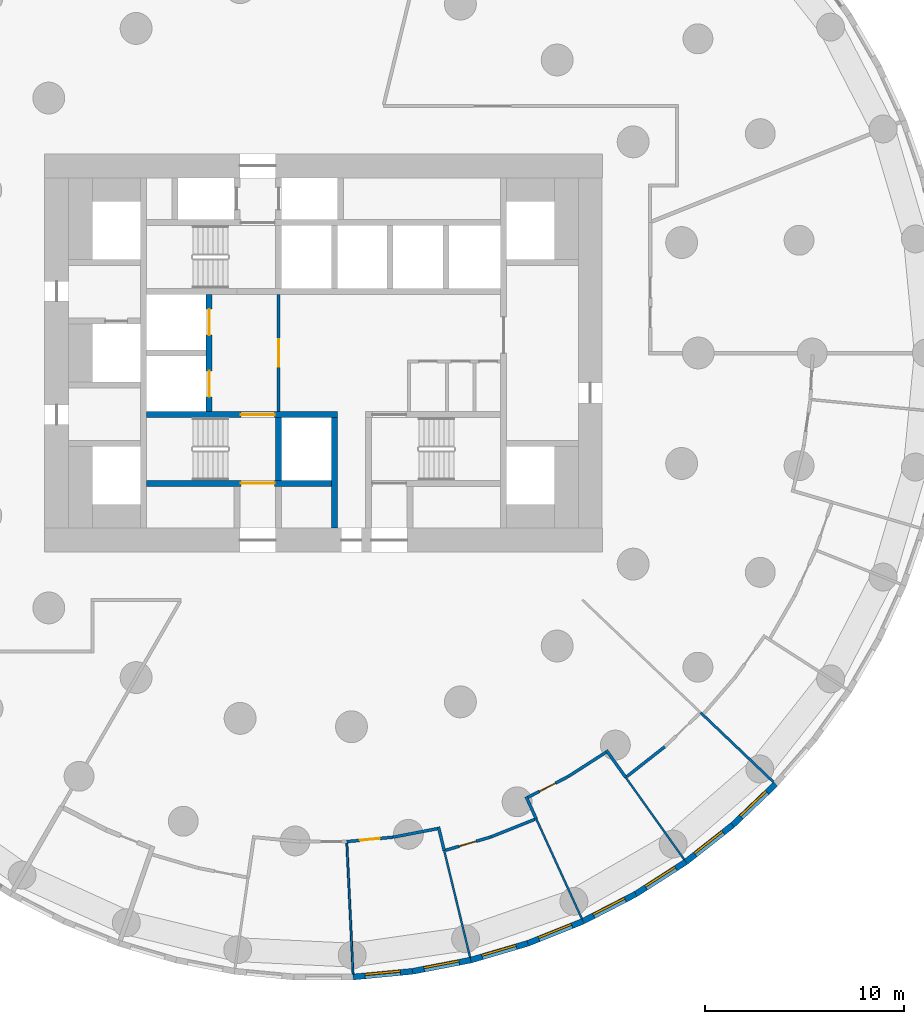
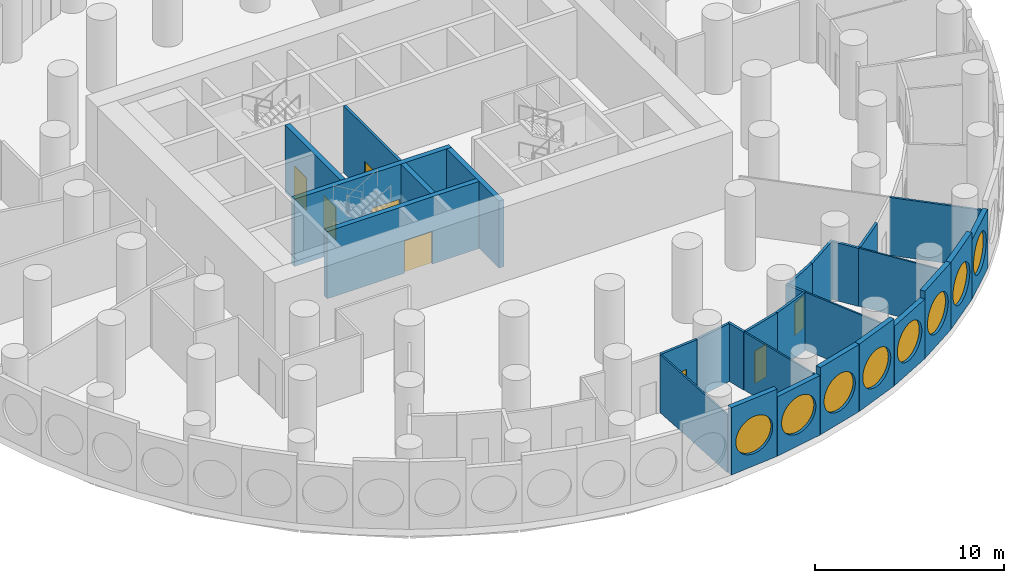
# One storey, part 4 of 11: 29 walls, 8 doors, 8 windows, 16 openings.
"""IFC4 building model written with IfcOpenShell, lengths in metres."""

from ifc_helpers import new_model, si_unit, direction, frame, frame_2d, origin, origin_2d, place, context, subcontext, project, spatial, rectangle, circle, extrude, material, layer, layer_set, type_object, element, fill, save


model = new_model("IFC4")

# Units and contexts
model_context = context("Model", 3, precision=1e-05, world=origin(), true_north=direction((0.0, 1.0)))
body_context = subcontext(model_context, "Body", "Model", "MODEL_VIEW")
ifc_project = project(units=[si_unit("LENGTHUNIT", "METRE"), si_unit("AREAUNIT", "SQUARE_METRE"), si_unit("VOLUMEUNIT", "CUBIC_METRE"), si_unit("PLANEANGLEUNIT", "RADIAN"), si_unit("MASSUNIT", "GRAM", prefix="KILO")], contexts=[model_context])

# Site, building, storey
site_placement = place(None, origin())
site = spatial("IfcSite", under=ifc_project, at=site_placement, CompositionType="ELEMENT")
building_placement = place(site_placement, origin())
building = spatial("IfcBuilding", under=site, at=building_placement, Name="Tracery Tower", CompositionType="ELEMENT")
storey_placement = place(building_placement, frame((0.0, 0.0, 23.39990234375)))
storey = spatial("IfcBuildingStorey", under=building, at=storey_placement, Name="L04", CompositionType="ELEMENT", Elevation=23.39990234375)

# Wall, opening, door
ifc_material_1 = material(Name="Plasterboard on steel studs", Category="steel")
ifc_layer_1 = layer(ifc_material_1, 0.14990234375)
ifc_layer_set_1 = layer_set([ifc_layer_1], Name="Core lobby partition 150")
wall_type_1 = type_object("IfcWallType", Name="Core lobby partition 150", PredefinedType="SOLIDWALL", material=ifc_layer_set_1)
wall_1_placement = place(storey_placement, frame((-2.25, -2.949951171875, 0.0), z_axis=(0.0, 0.0, 1.0), x_axis=(0.0, 1.0, 0.0)))
wall_1 = element("IfcWall", 1, at=wall_1_placement, inside=storey, type_object=wall_type_1, Name="L04 FF lobby E", PredefinedType="SOLIDWALL", context=body_context, shape_type="SweptSolid", body=[
    extrude(rectangle(XDim=5.89990234375, YDim=0.14990234375, at=frame_2d((2.949951171875, 0.0))), origin(), (0.0, 0.0, 1.0), 4.35009765625),
])
opening_1_placement = place(wall_1_placement, frame((2.25, 0.0, 0.0)))
opening_1 = element("IfcOpeningElement", 2, at=opening_1_placement, cuts=wall_1, Name="Opening KD8", PredefinedType="OPENING", context=body_context, shape_type="SweptSolid", body=[
    extrude(rectangle(XDim=1.39990234375, YDim=2.10009765625, at=frame_2d((0.699951171875, 1.050048828125))), frame((0.0, 0.074951171875, 0.0), z_axis=(0.0, -1.0, 0.0), x_axis=(1.0, 0.0, 0.0)), (0.0, 0.0, 1.0), 0.14990234375),
])
ifc_material_2 = material(Name="Steel fire door", Category="steel")
door_type_1 = type_object("IfcDoorType", Name="Core lobby door 1400 double", OperationType="NOTDEFINED", PredefinedType="DOOR", material=ifc_material_2)
door_1_placement = place(opening_1_placement, origin())
door_1 = element("IfcDoor", 3, at=door_1_placement, inside=storey, type_object=door_type_1, Name="Fire-fighting lobby door", OperationType="DOUBLE_DOOR_SINGLE_SWING", OverallHeight=2.10009765625, OverallWidth=1.39990234375, PredefinedType="DOOR", context=body_context, shape_type="SweptSolid", body=[
    extrude(rectangle(XDim=1.39990234375, YDim=2.10009765625, at=frame_2d((0.699951171875, 1.050048828125))), frame((0.0, 0.02490234375, 0.0), z_axis=(0.0, -1.0, 0.0), x_axis=(1.0, 0.0, 0.0)), (0.0, 0.0, 1.0), 0.050048828125),
])
fill(opening_1, door_1)

ifc_material_3 = material(Name="Plasterboard on steel studs", Category="steel")
ifc_layer_2 = layer(ifc_material_3, 0.14990234375)
ifc_layer_set_2 = layer_set([ifc_layer_2], Name="Corridor partition 150")
wall_type_2 = type_object("IfcWallType", Name="Corridor partition 150", PredefinedType="PARTITIONING", material=ifc_layer_set_2)
wall_2_placement = place(storey_placement, frame((3.49609375, -24.316650390625, 0.0), z_axis=(0.0, 0.0, 1.0), x_axis=(-0.995473855736, -0.095035796131, 0.0)))
wall_2 = element("IfcWall", 4, at=wall_2_placement, inside=storey, type_object=wall_type_2, Name="Corridor partition 150", PredefinedType="PARTITIONING", context=body_context, shape_type="SweptSolid", body=[
    extrude(rectangle(XDim=2.337646484375, YDim=0.14990234375, at=frame_2d((1.1689453125, 0.0))), origin(), (0.0, 0.0, 1.0), 3.75),
])
opening_2_placement = place(wall_2_placement, frame((0.6689453125, 0.0, 0.0)))
opening_2 = element("IfcOpeningElement", 5, at=opening_2_placement, cuts=wall_2, Name="Opening SB-L04-18", PredefinedType="OPENING", context=body_context, shape_type="SweptSolid", body=[
    extrude(rectangle(XDim=1.0, YDim=2.10009765625, at=frame_2d((0.5, 1.050048828125))), frame((0.0, 0.074951171875, 0.0), z_axis=(0.0, -1.0, 0.0), x_axis=(1.0, 0.0, 0.0)), (0.0, 0.0, 1.0), 0.14990234375),
])
ifc_material_4 = material(Name="Timber door leaf", Category="wood")
door_type_2 = type_object("IfcDoorType", Name="Public room door 1000", OperationType="NOTDEFINED", PredefinedType="DOOR", material=ifc_material_4)
door_2_placement = place(opening_2_placement, origin())
door_2 = element("IfcDoor", 6, at=door_2_placement, inside=storey, type_object=door_type_2, Name="Public room door 1000", OperationType="SINGLE_SWING_RIGHT", OverallHeight=2.10009765625, OverallWidth=1.0, PredefinedType="DOOR", context=body_context, shape_type="SweptSolid", body=[
    extrude(rectangle(XDim=1.0, YDim=2.10009765625, at=frame_2d((0.5, 1.050048828125))), frame((0.0, 0.02490234375, 0.0), z_axis=(0.0, -1.0, 0.0), x_axis=(1.0, 0.0, 0.0)), (0.0, 0.0, 1.0), 0.050048828125),
])
fill(opening_2, door_2)

# Walls
wall_3_placement = place(storey_placement, frame((3.49609375, -24.316650390625, 0.0), z_axis=(0.0, 0.0, 1.0), x_axis=(0.981934043808, 0.18922350174, 0.0)))
element("IfcWall", 7, at=wall_3_placement, inside=storey, type_object=wall_type_2, Name="Corridor partition 150", PredefinedType="PARTITIONING", context=body_context, shape_type="SweptSolid", body=[
    extrude(rectangle(XDim=2.262939453125, YDim=0.14990234375, at=frame_2d((1.13134765625, 0.0))), origin(), (0.0, 0.0, 1.0), 3.75),
])
wall_4_placement = place(storey_placement, frame((6.063232421875, -24.9931640625, 0.0), z_axis=(0.0, 0.0, 1.0), x_axis=(-0.235691182892, 0.97182800243, 0.0)))
element("IfcWall", 8, at=wall_4_placement, inside=storey, type_object=wall_type_2, Name="Corridor partition 150", PredefinedType="PARTITIONING", context=body_context, shape_type="SweptSolid", body=[
    extrude(rectangle(XDim=1.2265625, YDim=0.14990234375, at=frame_2d((0.61328125, 0.0))), origin(), (0.0, 0.0, 1.0), 3.75),
])

# Wall, opening, door
wall_5_placement = place(storey_placement, frame((8.41162109375, -24.3037109375, 0.0), z_axis=(0.0, 0.0, 1.0), x_axis=(-0.959514485928, -0.281659282281, 0.0)))
wall_5 = element("IfcWall", 9, at=wall_5_placement, inside=storey, type_object=wall_type_2, Name="Corridor partition 150", PredefinedType="PARTITIONING", context=body_context, shape_type="SweptSolid", body=[
    extrude(rectangle(XDim=2.372314453125, YDim=0.14990234375, at=frame_2d((1.18603515625, 0.0))), origin(), (0.0, 0.0, 1.0), 3.75),
])
opening_3_placement = place(wall_5_placement, frame((0.773681640625, 0.0, 0.0)))
opening_3 = element("IfcOpeningElement", 10, at=opening_3_placement, cuts=wall_5, Name="Opening SB-L04-19", PredefinedType="OPENING", context=body_context, shape_type="SweptSolid", body=[
    extrude(rectangle(XDim=0.89990234375, YDim=2.10009765625, at=frame_2d((0.449951171875, 1.050048828125))), frame((0.0, 0.074951171875, 0.0), z_axis=(0.0, -1.0, 0.0), x_axis=(1.0, 0.0, 0.0)), (0.0, 0.0, 1.0), 0.14990234375),
])
ifc_material_5 = material(Name="Timber door leaf", Category="wood")
door_type_3 = type_object("IfcDoorType", Name="Room door 900", OperationType="NOTDEFINED", PredefinedType="DOOR", material=ifc_material_5)
door_3_placement = place(opening_3_placement, origin())
door_3 = element("IfcDoor", 11, at=door_3_placement, inside=storey, type_object=door_type_3, Name="Room door 900", OperationType="SINGLE_SWING_RIGHT", OverallHeight=2.10009765625, OverallWidth=0.89990234375, PredefinedType="DOOR", context=body_context, shape_type="SweptSolid", body=[
    extrude(rectangle(XDim=0.89990234375, YDim=2.10009765625, at=frame_2d((0.449951171875, 1.050048828125))), frame((0.0, 0.02490234375, 0.0), z_axis=(0.0, -1.0, 0.0), x_axis=(1.0, 0.0, 0.0)), (0.0, 0.0, 1.0), 0.050048828125),
])
fill(opening_3, door_3)

# Wall
wall_6_placement = place(storey_placement, frame((8.41162109375, -24.3037109375, 0.0), z_axis=(0.0, 0.0, 1.0), x_axis=(0.928348885918, 0.371710029479, 0.0)))
element("IfcWall", 12, at=wall_6_placement, inside=storey, type_object=wall_type_2, Name="Corridor partition 150", PredefinedType="PARTITIONING", context=body_context, shape_type="SweptSolid", body=[
    extrude(rectangle(XDim=2.372314453125, YDim=0.14990234375, at=frame_2d((1.18603515625, 0.0))), origin(), (0.0, 0.0, 1.0), 3.75),
])

# Wall, opening, door
wall_7_placement = place(storey_placement, frame((12.283447265625, -21.275390625, 0.0), z_axis=(0.0, 0.0, 1.0), x_axis=(-0.888834753306, -0.458227870514, 0.0)))
wall_7 = element("IfcWall", 13, at=wall_7_placement, inside=storey, type_object=wall_type_2, Name="Corridor partition 150", PredefinedType="PARTITIONING", context=body_context, shape_type="SweptSolid", body=[
    extrude(rectangle(XDim=2.2626953125, YDim=0.14990234375, at=frame_2d((1.13134765625, 0.0))), origin(), (0.0, 0.0, 1.0), 3.75),
])
opening_4_placement = place(wall_7_placement, frame((0.718994140625, 0.0, 0.0)))
opening_4 = element("IfcOpeningElement", 14, at=opening_4_placement, cuts=wall_7, Name="Opening SB-L04-20", PredefinedType="OPENING", context=body_context, shape_type="SweptSolid", body=[
    extrude(rectangle(XDim=0.89990234375, YDim=2.10009765625, at=frame_2d((0.449951171875, 1.050048828125))), frame((0.0, 0.074951171875, 0.0), z_axis=(0.0, -1.0, 0.0), x_axis=(1.0, 0.0, 0.0)), (0.0, 0.0, 1.0), 0.14990234375),
])
door_4_placement = place(opening_4_placement, origin())
door_4 = element("IfcDoor", 15, at=door_4_placement, inside=storey, type_object=door_type_3, Name="Room door 900", OperationType="SINGLE_SWING_RIGHT", OverallHeight=2.10009765625, OverallWidth=0.89990234375, PredefinedType="DOOR", context=body_context, shape_type="SweptSolid", body=[
    extrude(rectangle(XDim=0.89990234375, YDim=2.10009765625, at=frame_2d((0.449951171875, 1.050048828125))), frame((0.0, 0.02490234375, 0.0), z_axis=(0.0, -1.0, 0.0), x_axis=(1.0, 0.0, 0.0)), (0.0, 0.0, 1.0), 0.050048828125),
])
fill(opening_4, door_4)

# Walls
wall_8_placement = place(storey_placement, frame((10.68359375, -23.393798828125, 0.0), z_axis=(0.0, 0.0, 1.0), x_axis=(-0.415392653696, 0.909642206175, 0.0)))
element("IfcWall", 16, at=wall_8_placement, inside=storey, type_object=wall_type_2, Name="Corridor partition 150", PredefinedType="PARTITIONING", context=body_context, shape_type="SweptSolid", body=[
    extrude(rectangle(XDim=1.22607421875, YDim=0.14990234375, at=frame_2d((0.613037109375, 0.0))), origin(), (0.0, 0.0, 1.0), 3.75),
])
wall_9_placement = place(storey_placement, frame((12.283447265625, -21.275390625, 0.0), z_axis=(0.0, 0.0, 1.0), x_axis=(0.841245074687, 0.540653978358, 0.0)))
element("IfcWall", 17, at=wall_9_placement, inside=storey, type_object=wall_type_2, Name="Corridor partition 150", PredefinedType="PARTITIONING", context=body_context, shape_type="SweptSolid", body=[
    extrude(rectangle(XDim=2.2626953125, YDim=0.14990234375, at=frame_2d((1.13134765625, 0.0))), origin(), (0.0, 0.0, 1.0), 3.75),
])
wall_10_placement = place(storey_placement, frame((15.17919921875, -21.31640625, 0.0), z_axis=(0.0, 0.0, 1.0), x_axis=(-0.580039379053, 0.814588435191, 0.0)))
element("IfcWall", 18, at=wall_10_placement, inside=storey, type_object=wall_type_2, Name="Corridor partition 150", PredefinedType="PARTITIONING", context=body_context, shape_type="SweptSolid", body=[
    extrude(rectangle(XDim=1.6767578125, YDim=0.14990234375, at=frame_2d((0.83837890625, 0.0))), origin(), (0.0, 0.0, 1.0), 3.75),
])
wall_11_placement = place(storey_placement, frame((15.23828125, -21.27001953125, 0.0), z_axis=(0.0, 0.0, 1.0), x_axis=(0.786009575481, 0.618214321456, 0.0)))
element("IfcWall", 19, at=wall_11_placement, inside=storey, type_object=wall_type_2, Name="Corridor partition 150", PredefinedType="PARTITIONING", context=body_context, shape_type="SweptSolid", body=[
    extrude(rectangle(XDim=2.415283203125, YDim=0.14990234375, at=frame_2d((1.20751953125, 0.0))), origin(), (0.0, 0.0, 1.0), 3.75),
])

# Wall, opening, window
ifc_material_6 = material(Name="Precast concrete C50/60", Category="concrete")
ifc_layer_3 = layer(ifc_material_6, 0.300048828125)
ifc_layer_set_3 = layer_set([ifc_layer_3], Name="Facade panel 3000 x 3850")
wall_type_3 = type_object("IfcWallType", Name="Facade panel 3000 x 3850", PredefinedType="SOLIDWALL", material=ifc_layer_set_3)
wall_12_placement = place(storey_placement, frame((4.465087890625, -31.05517578125, 0.0), z_axis=(0.0, 0.0, 1.0), x_axis=(0.981918853666, 0.189302310646, 0.0)))
wall_12 = element("IfcWall", 20, at=wall_12_placement, inside=storey, type_object=wall_type_3, Name="Facade panel 52 at L04", PredefinedType="SOLIDWALL", context=body_context, shape_type="SweptSolid", body=[
    extrude(rectangle(XDim=2.985595703125, YDim=0.300048828125, at=frame_2d((1.49267578125, 0.0))), origin(), (0.0, 0.0, 1.0), 3.85009765625),
])
opening_5_placement = place(wall_12_placement, frame((1.492919921875, 0.0, 2.0)))
opening_5 = element("IfcOpeningElement", 21, at=opening_5_placement, cuts=wall_12, Name="Opening WN2", PredefinedType="OPENING", context=body_context, shape_type="SweptSolid", body=[
    extrude(circle(Radius=1.199951171875, at=origin_2d()), frame((0.0, 0.159912109375, 0.0), z_axis=(0.0, -1.0, 0.0), x_axis=(1.0, 0.0, 0.0)), (0.0, 0.0, 1.0), 0.320068359375),
])
ifc_material_7 = material(Name="Aluminium frame with tinted double glazing", Category="aluminium")
window_type = type_object("IfcWindowType", Name="Round window 2400", PartitioningType="SINGLE_PANEL", PredefinedType="WINDOW", material=ifc_material_7)
window_1_placement = place(opening_5_placement, origin())
window_1 = element("IfcWindow", 22, at=window_1_placement, inside=storey, type_object=window_type, Name="Round window 52 at L04", OverallHeight=2.39990234375, OverallWidth=2.39990234375, PartitioningType="SINGLE_PANEL", PredefinedType="WINDOW", context=body_context, shape_type="SweptSolid", body=[
    extrude(circle(Radius=1.199951171875, at=origin_2d()), frame((0.0, 0.1201171875, 0.0), z_axis=(0.0, -1.0, 0.0), x_axis=(1.0, 0.0, 0.0)), (0.0, 0.0, 1.0), 0.10009765625),
])
fill(opening_5, window_1)

wall_13_placement = place(storey_placement, frame((13.033447265625, -28.539306640625, 0.0), z_axis=(0.0, 0.0, 1.0), x_axis=(0.888831268481, 0.458234630043, 0.0)))
wall_13 = element("IfcWall", 23, at=wall_13_placement, inside=storey, type_object=wall_type_3, Name="Facade panel 55 at L04", PredefinedType="SOLIDWALL", context=body_context, shape_type="SweptSolid", body=[
    extrude(rectangle(XDim=2.98583984375, YDim=0.300048828125, at=frame_2d((1.492919921875, 0.0))), origin(), (0.0, 0.0, 1.0), 3.85009765625),
])
opening_6_placement = place(wall_13_placement, frame((1.492919921875, 0.0, 2.0)))
opening_6 = element("IfcOpeningElement", 24, at=opening_6_placement, cuts=wall_13, Name="Opening WN2", PredefinedType="OPENING", context=body_context, shape_type="SweptSolid", body=[
    extrude(circle(Radius=1.199951171875, at=origin_2d()), frame((0.0, 0.159912109375, 0.0), z_axis=(0.0, -1.0, 0.0), x_axis=(1.0, 0.0, 0.0)), (0.0, 0.0, 1.0), 0.320068359375),
])
window_2_placement = place(opening_6_placement, origin())
window_2 = element("IfcWindow", 25, at=window_2_placement, inside=storey, type_object=window_type, Name="Round window 55 at L04", OverallHeight=2.39990234375, OverallWidth=2.39990234375, PartitioningType="SINGLE_PANEL", PredefinedType="WINDOW", context=body_context, shape_type="SweptSolid", body=[
    extrude(circle(Radius=1.199951171875, at=origin_2d()), frame((0.0, 0.1201171875, 0.0), z_axis=(0.0, -1.0, 0.0), x_axis=(1.0, 0.0, 0.0)), (0.0, 0.0, 1.0), 0.10009765625),
])
fill(opening_6, window_2)

wall_14_placement = place(storey_placement, frame((20.5458984375, -23.711181640625, 0.0), z_axis=(0.0, 0.0, 1.0), x_axis=(0.723750841228, 0.690061388444, 0.0)))
wall_14 = element("IfcWall", 26, at=wall_14_placement, inside=storey, type_object=wall_type_3, Name="Facade panel 58 at L04", PredefinedType="SOLIDWALL", context=body_context, shape_type="SweptSolid", body=[
    extrude(rectangle(XDim=2.985595703125, YDim=0.300048828125, at=frame_2d((1.49267578125, 0.0))), origin(), (0.0, 0.0, 1.0), 3.85009765625),
])
opening_7_placement = place(wall_14_placement, frame((1.492919921875, 0.0, 2.0)))
opening_7 = element("IfcOpeningElement", 27, at=opening_7_placement, cuts=wall_14, Name="Opening WN2", PredefinedType="OPENING", context=body_context, shape_type="SweptSolid", body=[
    extrude(circle(Radius=1.199951171875, at=origin_2d()), frame((0.0, 0.159912109375, 0.0), z_axis=(0.0, -1.0, 0.0), x_axis=(1.0, 0.0, 0.0)), (0.0, 0.0, 1.0), 0.320068359375),
])
window_3_placement = place(opening_7_placement, origin())
window_3 = element("IfcWindow", 28, at=window_3_placement, inside=storey, type_object=window_type, Name="Round window 58 at L04", OverallHeight=2.39990234375, OverallWidth=2.39990234375, PartitioningType="SINGLE_PANEL", PredefinedType="WINDOW", context=body_context, shape_type="SweptSolid", body=[
    extrude(circle(Radius=1.199951171875, at=origin_2d()), frame((0.0, 0.1201171875, 0.0), z_axis=(0.0, -1.0, 0.0), x_axis=(1.0, 0.0, 0.0)), (0.0, 0.0, 1.0), 0.10009765625),
])
fill(opening_7, window_3)

ifc_material_8 = material(Name="Precast concrete C50/60", Category="concrete")
ifc_layer_4 = layer(ifc_material_8, 0.300048828125)
ifc_layer_set_4 = layer_set([ifc_layer_4], Name="Facade panel 3000 x 4350")
wall_type_4 = type_object("IfcWallType", Name="Facade panel 3000 x 4350", PredefinedType="SOLIDWALL", material=ifc_layer_set_4)
wall_15_placement = place(storey_placement, frame((1.492919921875, -31.3388671875, 0.0), z_axis=(0.0, 0.0, 1.0), x_axis=(0.99547560533, 0.095017467833, 0.0)))
wall_15 = element("IfcWall", 29, at=wall_15_placement, inside=storey, type_object=wall_type_4, Name="Facade panel 51 at L04", PredefinedType="SOLIDWALL", context=body_context, shape_type="SweptSolid", body=[
    extrude(rectangle(XDim=2.985595703125, YDim=0.300048828125, at=frame_2d((1.49267578125, 0.0))), origin(), (0.0, 0.0, 1.0), 4.35009765625),
])
opening_8_placement = place(wall_15_placement, frame((1.492919921875, 0.0, 2.0)))
opening_8 = element("IfcOpeningElement", 30, at=opening_8_placement, cuts=wall_15, Name="Opening WN2", PredefinedType="OPENING", context=body_context, shape_type="SweptSolid", body=[
    extrude(circle(Radius=1.199951171875, at=origin_2d()), frame((0.0, 0.159912109375, 0.0), z_axis=(0.0, -1.0, 0.0), x_axis=(1.0, 0.0, 0.0)), (0.0, 0.0, 1.0), 0.320068359375),
])
window_4_placement = place(opening_8_placement, origin())
window_4 = element("IfcWindow", 31, at=window_4_placement, inside=storey, type_object=window_type, Name="Round window 51 at L04", OverallHeight=2.39990234375, OverallWidth=2.39990234375, PartitioningType="SINGLE_PANEL", PredefinedType="WINDOW", context=body_context, shape_type="SweptSolid", body=[
    extrude(circle(Radius=1.199951171875, at=origin_2d()), frame((0.0, 0.1201171875, 0.0), z_axis=(0.0, -1.0, 0.0), x_axis=(1.0, 0.0, 0.0)), (0.0, 0.0, 1.0), 0.10009765625),
])
fill(opening_8, window_4)

wall_16_placement = place(storey_placement, frame((7.396728515625, -30.489990234375, 0.0), z_axis=(0.0, 0.0, 1.0), x_axis=(0.959502108153, 0.281701445593, 0.0)))
wall_16 = element("IfcWall", 32, at=wall_16_placement, inside=storey, type_object=wall_type_4, Name="Facade panel 53 at L04", PredefinedType="SOLIDWALL", context=body_context, shape_type="SweptSolid", body=[
    extrude(rectangle(XDim=2.985595703125, YDim=0.300048828125, at=frame_2d((1.49267578125, 0.0))), origin(), (0.0, 0.0, 1.0), 4.35009765625),
])
opening_9_placement = place(wall_16_placement, frame((1.492919921875, 0.0, 2.0)))
opening_9 = element("IfcOpeningElement", 33, at=opening_9_placement, cuts=wall_16, Name="Opening WN2", PredefinedType="OPENING", context=body_context, shape_type="SweptSolid", body=[
    extrude(circle(Radius=1.199951171875, at=origin_2d()), frame((0.0, 0.159912109375, 0.0), z_axis=(0.0, -1.0, 0.0), x_axis=(1.0, 0.0, 0.0)), (0.0, 0.0, 1.0), 0.320068359375),
])
window_5_placement = place(opening_9_placement, origin())
window_5 = element("IfcWindow", 34, at=window_5_placement, inside=storey, type_object=window_type, Name="Round window 53 at L04", OverallHeight=2.39990234375, OverallWidth=2.39990234375, PartitioningType="SINGLE_PANEL", PredefinedType="WINDOW", context=body_context, shape_type="SweptSolid", body=[
    extrude(circle(Radius=1.199951171875, at=origin_2d()), frame((0.0, 0.1201171875, 0.0), z_axis=(0.0, -1.0, 0.0), x_axis=(1.0, 0.0, 0.0)), (0.0, 0.0, 1.0), 0.10009765625),
])
fill(opening_9, window_5)

wall_17_placement = place(storey_placement, frame((10.261474609375, -29.64892578125, 0.0), z_axis=(0.0, 0.0, 1.0), x_axis=(0.928380795373, 0.371630325434, 0.0)))
wall_17 = element("IfcWall", 35, at=wall_17_placement, inside=storey, type_object=wall_type_4, Name="Facade panel 54 at L04", PredefinedType="SOLIDWALL", context=body_context, shape_type="SweptSolid", body=[
    extrude(rectangle(XDim=2.98583984375, YDim=0.300048828125, at=frame_2d((1.492919921875, 0.0))), origin(), (0.0, 0.0, 1.0), 4.35009765625),
])
opening_10_placement = place(wall_17_placement, frame((1.492919921875, 0.0, 2.0)))
opening_10 = element("IfcOpeningElement", 36, at=opening_10_placement, cuts=wall_17, Name="Opening WN2", PredefinedType="OPENING", context=body_context, shape_type="SweptSolid", body=[
    extrude(circle(Radius=1.199951171875, at=origin_2d()), frame((0.0, 0.159912109375, 0.0), z_axis=(0.0, -1.0, 0.0), x_axis=(1.0, 0.0, 0.0)), (0.0, 0.0, 1.0), 0.320068359375),
])
window_6_placement = place(opening_10_placement, origin())
window_6 = element("IfcWindow", 37, at=window_6_placement, inside=storey, type_object=window_type, Name="Round window 54 at L04", OverallHeight=2.39990234375, OverallWidth=2.39990234375, PartitioningType="SINGLE_PANEL", PredefinedType="WINDOW", context=body_context, shape_type="SweptSolid", body=[
    extrude(circle(Radius=1.199951171875, at=origin_2d()), frame((0.0, 0.1201171875, 0.0), z_axis=(0.0, -1.0, 0.0), x_axis=(1.0, 0.0, 0.0)), (0.0, 0.0, 1.0), 0.10009765625),
])
fill(opening_10, window_6)

wall_18_placement = place(storey_placement, frame((15.687255859375, -27.171142578125, 0.0), z_axis=(0.0, 0.0, 1.0), x_axis=(0.841242231846, 0.540658401727, 0.0)))
wall_18 = element("IfcWall", 38, at=wall_18_placement, inside=storey, type_object=wall_type_4, Name="Facade panel 56 at L04", PredefinedType="SOLIDWALL", context=body_context, shape_type="SweptSolid", body=[
    extrude(rectangle(XDim=2.98583984375, YDim=0.300048828125, at=frame_2d((1.492919921875, 0.0))), origin(), (0.0, 0.0, 1.0), 4.35009765625),
])
opening_11_placement = place(wall_18_placement, frame((1.492919921875, 0.0, 2.0)))
opening_11 = element("IfcOpeningElement", 39, at=opening_11_placement, cuts=wall_18, Name="Opening WN2", PredefinedType="OPENING", context=body_context, shape_type="SweptSolid", body=[
    extrude(circle(Radius=1.199951171875, at=origin_2d()), frame((0.0, 0.159912109375, 0.0), z_axis=(0.0, -1.0, 0.0), x_axis=(1.0, 0.0, 0.0)), (0.0, 0.0, 1.0), 0.320068359375),
])
window_7_placement = place(opening_11_placement, origin())
window_7 = element("IfcWindow", 40, at=window_7_placement, inside=storey, type_object=window_type, Name="Round window 56 at L04", OverallHeight=2.39990234375, OverallWidth=2.39990234375, PartitioningType="SINGLE_PANEL", PredefinedType="WINDOW", context=body_context, shape_type="SweptSolid", body=[
    extrude(circle(Radius=1.199951171875, at=origin_2d()), frame((0.0, 0.1201171875, 0.0), z_axis=(0.0, -1.0, 0.0), x_axis=(1.0, 0.0, 0.0)), (0.0, 0.0, 1.0), 0.10009765625),
])
fill(opening_11, window_7)

wall_19_placement = place(storey_placement, frame((18.198974609375, -25.556884765625, 0.0), z_axis=(0.0, 0.0, 1.0), x_axis=(0.786043032847, 0.618171780747, 0.0)))
wall_19 = element("IfcWall", 41, at=wall_19_placement, inside=storey, type_object=wall_type_4, Name="Facade panel 57 at L04", PredefinedType="SOLIDWALL", context=body_context, shape_type="SweptSolid", body=[
    extrude(rectangle(XDim=2.98583984375, YDim=0.300048828125, at=frame_2d((1.492919921875, 0.0))), origin(), (0.0, 0.0, 1.0), 4.35009765625),
])
opening_12_placement = place(wall_19_placement, frame((1.492919921875, 0.0, 2.0)))
opening_12 = element("IfcOpeningElement", 42, at=opening_12_placement, cuts=wall_19, Name="Opening WN2", PredefinedType="OPENING", context=body_context, shape_type="SweptSolid", body=[
    extrude(circle(Radius=1.199951171875, at=origin_2d()), frame((0.0, 0.159912109375, 0.0), z_axis=(0.0, -1.0, 0.0), x_axis=(1.0, 0.0, 0.0)), (0.0, 0.0, 1.0), 0.320068359375),
])
window_8_placement = place(opening_12_placement, origin())
window_8 = element("IfcWindow", 43, at=window_8_placement, inside=storey, type_object=window_type, Name="Round window 57 at L04", OverallHeight=2.39990234375, OverallWidth=2.39990234375, PartitioningType="SINGLE_PANEL", PredefinedType="WINDOW", context=body_context, shape_type="SweptSolid", body=[
    extrude(circle(Radius=1.199951171875, at=origin_2d()), frame((0.0, 0.1201171875, 0.0), z_axis=(0.0, -1.0, 0.0), x_axis=(1.0, 0.0, 0.0)), (0.0, 0.0, 1.0), 0.10009765625),
])
fill(opening_12, window_8)

# Wall, openings, doors
ifc_material_9 = material(Name="Concrete C60/75", Category="concrete")
ifc_layer_5 = layer(ifc_material_9, 0.300048828125)
ifc_layer_set_5 = layer_set([ifc_layer_5], Name="Shaft wall 300 C60")
wall_type_5 = type_object("IfcWallType", Name="Shaft wall 300 C60", PredefinedType="SOLIDWALL", material=ifc_layer_set_5)
wall_20_placement = place(storey_placement, frame((-5.75, -2.949951171875, 0.0), z_axis=(0.0, 0.0, 1.0), x_axis=(0.0, 1.0, 0.0)))
wall_20 = element("IfcWall", 44, at=wall_20_placement, inside=storey, type_object=wall_type_5, Name="L04 FF doors", PredefinedType="SOLIDWALL", context=body_context, shape_type="SweptSolid", body=[
    extrude(rectangle(XDim=5.89990234375, YDim=0.300048828125, at=frame_2d((2.949951171875, 0.0))), origin(), (0.0, 0.0, 1.0), 4.35009765625),
])
opening_13_placement = place(wall_20_placement, frame((0.75, 0.0, 0.0)))
opening_13 = element("IfcOpeningElement", 45, at=opening_13_placement, cuts=wall_20, Name="Opening KD54", PredefinedType="OPENING", context=body_context, shape_type="SweptSolid", body=[
    extrude(rectangle(XDim=1.300048828125, YDim=2.10009765625, at=frame_2d((0.64990234375, 1.050048828125))), frame((0.0, 0.14990234375, 0.0), z_axis=(0.0, -1.0, 0.0), x_axis=(1.0, 0.0, 0.0)), (0.0, 0.0, 1.0), 0.300048828125),
])
opening_14_placement = place(wall_20_placement, frame((3.85009765625, 0.0, 0.0)))
opening_14 = element("IfcOpeningElement", 46, at=opening_14_placement, cuts=wall_20, Name="Opening KD55", PredefinedType="OPENING", context=body_context, shape_type="SweptSolid", body=[
    extrude(rectangle(XDim=1.300048828125, YDim=2.10009765625, at=frame_2d((0.64990234375, 1.050048828125))), frame((0.0, 0.14990234375, 0.0), z_axis=(0.0, -1.0, 0.0), x_axis=(1.0, 0.0, 0.0)), (0.0, 0.0, 1.0), 0.300048828125),
])
ifc_material_10 = material(Name="Steel fire door", Category="steel")
door_type_4 = type_object("IfcDoorType", Name="Landing door FF 1300", OperationType="NOTDEFINED", PredefinedType="DOOR", material=ifc_material_10)
door_5_placement = place(opening_13_placement, origin())
door_5 = element("IfcDoor", 47, at=door_5_placement, inside=storey, type_object=door_type_4, Name="Landing door FF1", OperationType="SLIDING_TO_LEFT", OverallHeight=2.10009765625, OverallWidth=1.300048828125, PredefinedType="DOOR", context=body_context, shape_type="SweptSolid", body=[
    extrude(rectangle(XDim=1.300048828125, YDim=2.10009765625, at=frame_2d((0.64990234375, 1.050048828125))), frame((0.0, 0.02490234375, 0.0), z_axis=(0.0, -1.0, 0.0), x_axis=(1.0, 0.0, 0.0)), (0.0, 0.0, 1.0), 0.050048828125),
])
fill(opening_13, door_5)
door_6_placement = place(opening_14_placement, origin())
door_6 = element("IfcDoor", 48, at=door_6_placement, inside=storey, type_object=door_type_4, Name="Landing door FF2", OperationType="SLIDING_TO_RIGHT", OverallHeight=2.10009765625, OverallWidth=1.300048828125, PredefinedType="DOOR", context=body_context, shape_type="SweptSolid", body=[
    extrude(rectangle(XDim=1.300048828125, YDim=2.10009765625, at=frame_2d((0.64990234375, 1.050048828125))), frame((0.0, 0.02490234375, 0.0), z_axis=(0.0, -1.0, 0.0), x_axis=(1.0, 0.0, 0.0)), (0.0, 0.0, 1.0), 0.050048828125),
])
fill(opening_14, door_6)

# Wall
wall_21_placement = place(storey_placement, frame((0.550048828125, -8.800048828125, 0.0), z_axis=(0.0, 0.0, 1.0), x_axis=(0.0, 1.0, 0.0)))
element("IfcWall", 49, at=wall_21_placement, inside=storey, type_object=wall_type_5, Name="L04 OB2 E", PredefinedType="SOLIDWALL", context=body_context, shape_type="SweptSolid", body=[
    extrude(rectangle(XDim=5.550048828125, YDim=0.300048828125, at=frame_2d((2.77490234375, 0.0))), origin(), (0.0, 0.0, 1.0), 4.35009765625),
])

# Wall, opening, door
ifc_material_11 = material(Name="Concrete C60/75", Category="concrete")
ifc_layer_6 = layer(ifc_material_11, 0.300048828125)
ifc_layer_set_6 = layer_set([ifc_layer_6], Name="Stair wall 300 C60")
wall_type_6 = type_object("IfcWallType", Name="Stair wall 300 C60", PredefinedType="SOLIDWALL", material=ifc_layer_set_6)
wall_22_placement = place(storey_placement, frame((-8.89990234375, -3.10009765625, 0.0), z_axis=(0.0, 0.0, 1.0), x_axis=(1.0, 0.0, 0.0)))
wall_22 = element("IfcWall", 50, at=wall_22_placement, inside=storey, type_object=wall_type_6, Name="L04 row S", PredefinedType="SOLIDWALL", context=body_context, shape_type="SweptSolid", body=[
    extrude(rectangle(XDim=9.599853515625, YDim=0.300048828125, at=frame_2d((4.7998046875, 0.0))), origin(), (0.0, 0.0, 1.0), 4.35009765625),
])
opening_15_placement = place(wall_22_placement, frame((4.75, 0.0, 0.0)))
opening_15 = element("IfcOpeningElement", 51, at=opening_15_placement, cuts=wall_22, Name="Opening KD3", PredefinedType="OPENING", context=body_context, shape_type="SweptSolid", body=[
    extrude(rectangle(XDim=1.699951171875, YDim=2.10009765625, at=frame_2d((0.85009765625, 1.050048828125))), frame((0.0, 0.14990234375, 0.0), z_axis=(0.0, -1.0, 0.0), x_axis=(1.0, 0.0, 0.0)), (0.0, 0.0, 1.0), 0.300048828125),
])
ifc_material_12 = material(Name="Steel fire door", Category="steel")
door_type_5 = type_object("IfcDoorType", Name="Core stair door 1700 double", OperationType="NOTDEFINED", PredefinedType="DOOR", material=ifc_material_12)
door_7_placement = place(opening_15_placement, origin())
door_7 = element("IfcDoor", 52, at=door_7_placement, inside=storey, type_object=door_type_5, Name="Stair door ST1", OperationType="DOUBLE_DOOR_SINGLE_SWING", OverallHeight=2.10009765625, OverallWidth=1.699951171875, PredefinedType="DOOR", context=body_context, shape_type="SweptSolid", body=[
    extrude(rectangle(XDim=1.699951171875, YDim=2.10009765625, at=frame_2d((0.85009765625, 1.050048828125))), frame((0.0, 0.02490234375, 0.0), z_axis=(0.0, -1.0, 0.0), x_axis=(1.0, 0.0, 0.0)), (0.0, 0.0, 1.0), 0.050048828125),
])
fill(opening_15, door_7)

# Wall
wall_23_placement = place(storey_placement, frame((-2.25, -6.39990234375, 0.0), z_axis=(0.0, 0.0, 1.0), x_axis=(0.0, 1.0, 0.0)))
element("IfcWall", 53, at=wall_23_placement, inside=storey, type_object=wall_type_6, Name="L04 ST1 E", PredefinedType="SOLIDWALL", context=body_context, shape_type="SweptSolid", body=[
    extrude(rectangle(XDim=3.14990234375, YDim=0.300048828125, at=frame_2d((1.574951171875, 0.0))), origin(), (0.0, 0.0, 1.0), 4.35009765625),
])

# Wall, opening, door
wall_24_placement = place(storey_placement, frame((-8.89990234375, -6.550048828125, 0.0), z_axis=(0.0, 0.0, 1.0), x_axis=(1.0, 0.0, 0.0)))
wall_24 = element("IfcWall", 54, at=wall_24_placement, inside=storey, type_object=wall_type_6, Name="L04 F S W", PredefinedType="SOLIDWALL", context=body_context, shape_type="SweptSolid", body=[
    extrude(rectangle(XDim=9.2998046875, YDim=0.300048828125, at=frame_2d((4.64990234375, 0.0))), origin(), (0.0, 0.0, 1.0), 4.35009765625),
])
opening_16_placement = place(wall_24_placement, frame((4.75, 0.0, 0.0)))
opening_16 = element("IfcOpeningElement", 55, at=opening_16_placement, cuts=wall_24, Name="Opening KD3", PredefinedType="OPENING", context=body_context, shape_type="SweptSolid", body=[
    extrude(rectangle(XDim=1.699951171875, YDim=2.10009765625, at=frame_2d((0.85009765625, 1.050048828125))), frame((0.0, 0.14990234375, 0.0), z_axis=(0.0, -1.0, 0.0), x_axis=(1.0, 0.0, 0.0)), (0.0, 0.0, 1.0), 0.300048828125),
])
door_8_placement = place(opening_16_placement, origin())
door_8 = element("IfcDoor", 56, at=door_8_placement, inside=storey, type_object=door_type_5, Name="Stair door ST1 S", OperationType="DOUBLE_DOOR_SINGLE_SWING", OverallHeight=2.10009765625, OverallWidth=1.699951171875, PredefinedType="DOOR", context=body_context, shape_type="SweptSolid", body=[
    extrude(rectangle(XDim=1.699951171875, YDim=2.10009765625, at=frame_2d((0.85009765625, 1.050048828125))), frame((0.0, 0.02490234375, 0.0), z_axis=(0.0, -1.0, 0.0), x_axis=(1.0, 0.0, 0.0)), (0.0, 0.0, 1.0), 0.050048828125),
])
fill(opening_16, door_8)

# Walls
ifc_material_13 = material(Name="Plasterboard on steel studs", Category="steel")
ifc_layer_7 = layer(ifc_material_13, 0.10009765625)
ifc_layer_set_7 = layer_set([ifc_layer_7], Name="Stud partition 100")
wall_type_7 = type_object("IfcWallType", Name="Stud partition 100", PredefinedType="PARTITIONING", material=ifc_layer_set_7)
wall_25_placement = place(storey_placement, frame((1.485595703125, -31.18896484375, 0.0), z_axis=(0.0, 0.0, 1.0), x_axis=(-0.047549289688, 0.998868892823, 0.0)))
element("IfcWall", 57, at=wall_25_placement, inside=storey, type_object=wall_type_7, Name="Stud partition 100", PredefinedType="PARTITIONING", context=body_context, shape_type="SweptSolid", body=[
    extrude(rectangle(XDim=6.582275390625, YDim=0.10009765625, at=frame_2d((3.291015625, 0.0))), origin(), (0.0, 0.0, 1.0), 3.75),
])
wall_26_placement = place(storey_placement, frame((7.361328125, -30.343994140625, 0.0), z_axis=(0.0, 0.0, 1.0), x_axis=(-0.235758656248, 0.971811636072, 0.0)))
element("IfcWall", 58, at=wall_26_placement, inside=storey, type_object=wall_type_7, Name="Stud partition 100", PredefinedType="PARTITIONING", context=body_context, shape_type="SweptSolid", body=[
    extrude(rectangle(XDim=5.506103515625, YDim=0.10009765625, at=frame_2d((2.7529296875, 0.0))), origin(), (0.0, 0.0, 1.0), 3.75),
])
wall_27_placement = place(storey_placement, frame((12.970947265625, -28.402587890625, 0.0), z_axis=(0.0, 0.0, 1.0), x_axis=(-0.415402419846, 0.909637746351, 0.0)))
element("IfcWall", 59, at=wall_27_placement, inside=storey, type_object=wall_type_7, Name="Stud partition 100", PredefinedType="PARTITIONING", context=body_context, shape_type="SweptSolid", body=[
    extrude(rectangle(XDim=5.50634765625, YDim=0.10009765625, at=frame_2d((2.753173828125, 0.0))), origin(), (0.0, 0.0, 1.0), 3.75),
])
wall_28_placement = place(storey_placement, frame((18.11181640625, -25.4345703125, 0.0), z_axis=(0.0, 0.0, 1.0), x_axis=(-0.580068174904, 0.814567929926, 0.0)))
element("IfcWall", 60, at=wall_28_placement, inside=storey, type_object=wall_type_7, Name="Stud partition 100", PredefinedType="PARTITIONING", context=body_context, shape_type="SweptSolid", body=[
    extrude(rectangle(XDim=5.0556640625, YDim=0.10009765625, at=frame_2d((2.52783203125, 0.0))), origin(), (0.0, 0.0, 1.0), 3.75),
])
ifc_material_14 = material(Name="Plasterboard on steel studs", Category="steel")
ifc_layer_8 = layer(ifc_material_14, 0.125)
ifc_layer_set_8 = layer_set([ifc_layer_8], Name="Wet area partition 125")
wall_type_8 = type_object("IfcWallType", Name="Wet area partition 125", PredefinedType="PARTITIONING", material=ifc_layer_set_8)
wall_29_placement = place(storey_placement, frame((22.59814453125, -21.547119140625, 0.0), z_axis=(0.0, 0.0, 1.0), x_axis=(-0.723735862307, 0.690077098309, 0.0)))
element("IfcWall", 61, at=wall_29_placement, inside=storey, type_object=wall_type_8, Name="Wet area partition 125", PredefinedType="PARTITIONING", context=body_context, shape_type="SweptSolid", body=[
    extrude(rectangle(XDim=5.0556640625, YDim=0.125, at=frame_2d((2.52783203125, 0.0))), origin(), (0.0, 0.0, 1.0), 3.75),
])

save(model, "model.ifc")
